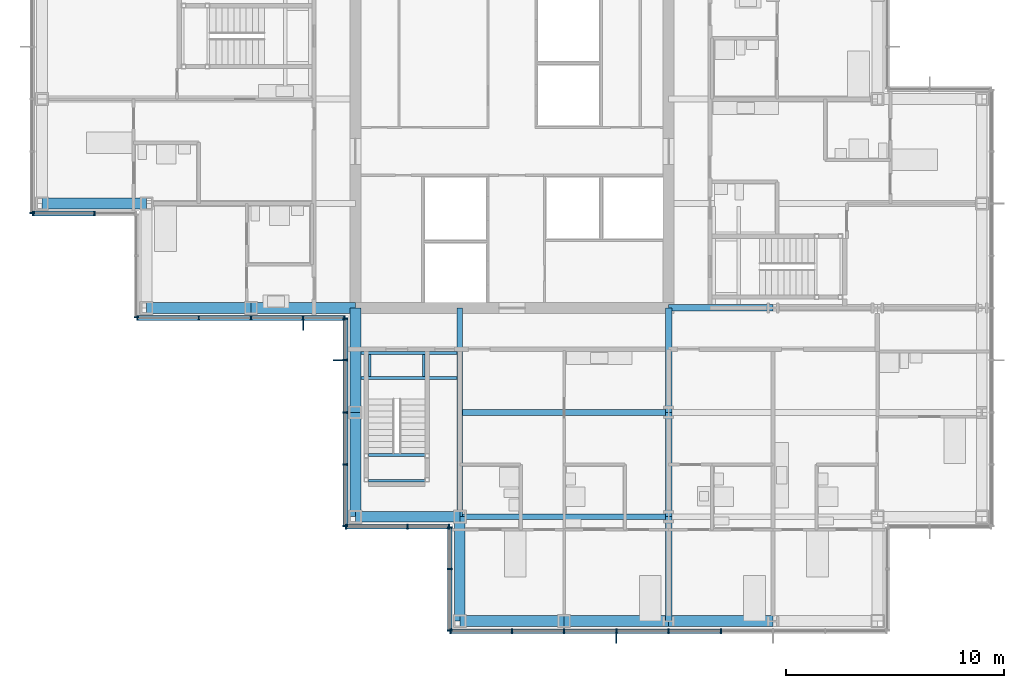
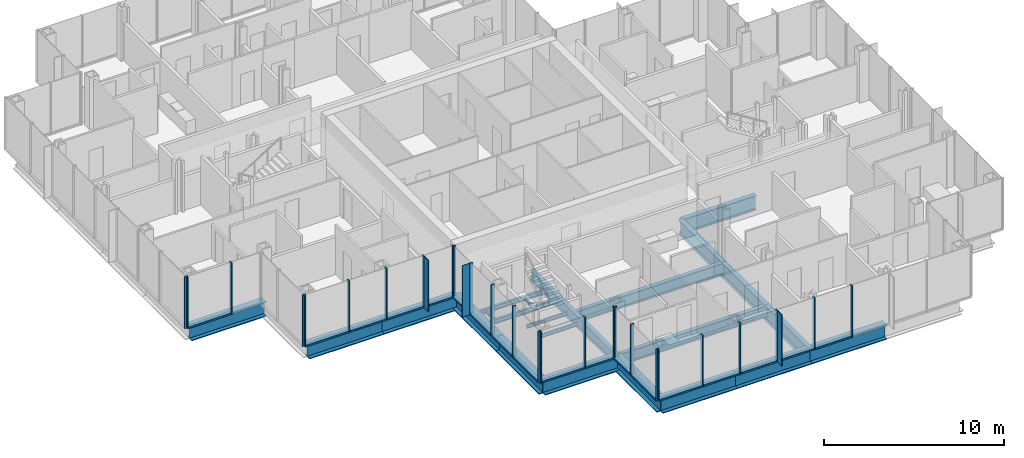
# One storey, part 6 of 20: 47 members, 23 beams, 8 elements without a shape of their own.
"""IFC4 building model written with IfcOpenShell, lengths in metres."""

import ifcopenshell
import ifcopenshell.guid

model = None  # the IFC model being written
_history = None  # IfcOwnerHistory: only IFC2X3 demands one
_inside = {}  # id of a spatial element -> (the spatial element, [elements in it])
_under = {}  # id of a project, library or spatial element -> (it, [spatial elements below it])
_declared = {}  # id of a project -> (the project, [libraries it declares])
_typed = {}  # id of a type object -> (the type object, [elements of that type])
_made_of = {}  # id of a material, layer set ... -> (it, [elements and type objects made of it])


def new_model(schema):
    """Start an empty IFC model of exactly this schema.

    Asked for "IFC4X3", IfcOpenShell would pick the latest addendum, in which some entities
    have other attributes; the version numbers below select the first issue.
    IFC2X3 requires an IfcOwnerHistory on every rooted entity: one is made here for all.
    """
    global model, _history
    if schema == "IFC4X3":
        model = ifcopenshell.file(schema_version=(4, 3, 0, 0))
    else:
        model = ifcopenshell.file(schema=schema)
    _inside.clear()
    _under.clear()
    _declared.clear()
    _typed.clear()
    _made_of.clear()
    _history = None
    if model.schema == "IFC2X3":
        org = make("IfcOrganization", Name="unknown")
        user = make(
            "IfcPersonAndOrganization",
            ThePerson=make("IfcPerson", FamilyName="unknown"),
            TheOrganization=org,
        )
        app = make(
            "IfcApplication",
            ApplicationDeveloper=org,
            Version="unknown",
            ApplicationFullName="unknown",
            ApplicationIdentifier="unknown",
        )
        _history = make(
            "IfcOwnerHistory",
            OwningUser=user,
            OwningApplication=app,
            ChangeAction="ADDED",
            CreationDate=0,
        )
    return model


def make(cls, **values):
    """One entity of the class cls with the attributes given. An attribute that is None is left unset."""
    return model.create_entity(
        cls, **{name: value for name, value in values.items() if value is not None}
    )


def rooted(cls, **values):
    """An entity with a GlobalId (a new one), such as an element, a storey or a relation."""
    return make(cls, GlobalId=ifcopenshell.guid.new(), OwnerHistory=_history, **values)


def si_unit(unit_type, name, prefix=None):
    """IfcSIUnit, for example si_unit("LENGTHUNIT", "METRE", prefix="MILLI")."""
    return make("IfcSIUnit", UnitType=unit_type, Prefix=prefix, Name=name)


def assignment(units):
    """IfcUnitAssignment: the units of a project."""
    return None if units is None else make("IfcUnitAssignment", Units=units)


def point(xyz):
    """IfcCartesianPoint."""
    return None if xyz is None else make("IfcCartesianPoint", Coordinates=xyz)


def direction(xyz):
    """IfcDirection."""
    return None if xyz is None else make("IfcDirection", DirectionRatios=xyz)


def frame(location, z_axis=None, x_axis=None):
    """IfcAxis2Placement3D, a coordinate frame: its origin and axes. An axis left out is left unset."""
    return make(
        "IfcAxis2Placement3D",
        Location=point(location),
        Axis=direction(z_axis),
        RefDirection=direction(x_axis),
    )


def frame_2d(location, x_axis=None):
    """IfcAxis2Placement2D, a coordinate frame in the plane: its origin and x axis."""
    return make(
        "IfcAxis2Placement2D", Location=point(location), RefDirection=direction(x_axis)
    )


def origin():
    """The frame at (0, 0, 0) with its axes left unset."""
    return frame((0.0, 0.0, 0.0))


def origin_2d():
    """The frame at (0, 0) in the plane with its x axis left unset."""
    return frame_2d((0.0, 0.0))


def place(relative_to, where):
    """IfcLocalPlacement: puts the frame where relative to a parent placement (None: the world)."""
    return make(
        "IfcLocalPlacement", PlacementRelTo=relative_to, RelativePlacement=where
    )


def context(
    kind, dimensions, precision=None, world=None, true_north=None, identifier=None
):
    """IfcGeometricRepresentationContext, for example the 3D "Model" context."""
    return make(
        "IfcGeometricRepresentationContext",
        ContextIdentifier=identifier,
        ContextType=kind,
        CoordinateSpaceDimension=dimensions,
        Precision=precision,
        WorldCoordinateSystem=world,
        TrueNorth=true_north,
    )


def subcontext(parent, identifier, kind, view, scale=None):
    """IfcGeometricRepresentationSubContext, for example "Body" below "Model"."""
    return make(
        "IfcGeometricRepresentationSubContext",
        ContextIdentifier=identifier,
        ContextType=kind,
        ParentContext=parent,
        TargetScale=scale,
        TargetView=view,
    )


def project(units=None, contexts=None):
    """IfcProject with its units and contexts."""
    return rooted(
        "IfcProject",
        Name="project",
        RepresentationContexts=contexts,
        UnitsInContext=assignment(units),
    )


def spatial(cls, under=None, at=None, **own):
    """A site, building, storey or space (cls), placed at a placement, below another one or the project."""
    s = rooted(cls, ObjectPlacement=at, **own)
    if under is not None:
        _under.setdefault(under.id(), (under, []))[1].append(s)
    return s


def profile(cls, at=None, kind="AREA", **sizes):
    """A parametric profile (cls). Its sizes go by their IFC names, for example OverallWidth=200.0."""
    return make(cls, ProfileType=kind, Position=at, **sizes)


def rectangle(**sizes):
    """IfcRectangleProfileDef."""
    return profile("IfcRectangleProfileDef", **sizes)


def i_section(**sizes):
    """IfcIShapeProfileDef."""
    return profile("IfcIShapeProfileDef", **sizes)


def extrude(swept, where, along, depth):
    """IfcExtrudedAreaSolid: the profile swept, set in the frame where, extruded along a direction by depth."""
    return make(
        "IfcExtrudedAreaSolid",
        SweptArea=swept,
        Position=where,
        ExtrudedDirection=direction(along),
        Depth=depth,
    )


def shape(context_of_items, identifier, shape_type, items):
    """IfcShapeRepresentation: the items that make up one representation, for example the "Body"."""
    return make(
        "IfcShapeRepresentation",
        ContextOfItems=context_of_items,
        RepresentationIdentifier=identifier,
        RepresentationType=shape_type,
        Items=items,
    )


def material(Name=None, Category=None):
    """IfcMaterial."""
    return make("IfcMaterial", Name=Name, Category=Category)


def material_profile(
    of_material, cross_section, Name=None, Category=None, Priority=None
):
    """IfcMaterialProfile: a cross section and its material."""
    return make(
        "IfcMaterialProfile",
        Name=Name,
        Material=of_material,
        Profile=cross_section,
        Priority=Priority,
        Category=Category,
    )


def profile_set(profiles, Name=None, composite=None):
    """IfcMaterialProfileSet."""
    return make(
        "IfcMaterialProfileSet",
        Name=Name,
        MaterialProfiles=profiles,
        CompositeProfile=composite,
    )


def made_of(thing, what):
    """Note that an element or type object is made of a material, layer set ...; save() writes the relation."""
    if what is not None:
        _made_of.setdefault(what.id(), (what, []))[1].append(thing)
    return thing


def type_object(cls, material=None, **own):
    """A type object (cls), such as IfcWallType, which elements share."""
    return made_of(rooted(cls, **own), material)


def element(
    cls,
    number,
    at=None,
    inside=None,
    cuts=None,
    type_object=None,
    material=None,
    context=None,
    identifier="Body",
    shape_type=None,
    held_by="IfcProductDefinitionShape",
    body=None,
    shapes=None,
    **own,
):
    """One element of the class cls, such as IfcWall. Its Tag is "e" and its number.

    at: its placement. inside: the storey or other place that contains it. cuts: it is an
    opening in that element (IfcRelVoidsElement). A single representation is given by context,
    identifier, shape_type and body (its items); several are given by shapes. held_by: the class
    of the entity that holds the representations. save() writes the other relations.
    """
    e = rooted(cls, Tag="e%d" % number, ObjectPlacement=at, **own)
    if body is not None:
        shapes = [shape(context, identifier, shape_type, body)]
    if shapes is not None:
        e.Representation = make(held_by, Representations=shapes)
    if inside is not None:
        _inside.setdefault(inside.id(), (inside, []))[1].append(e)
    if cuts is not None:
        rooted(
            "IfcRelVoidsElement", RelatingBuildingElement=cuts, RelatedOpeningElement=e
        )
    if type_object is not None:
        _typed.setdefault(type_object.id(), (type_object, []))[1].append(e)
    return made_of(e, material)


def aggregate(whole, parts):
    """IfcRelAggregates: a whole, such as a stair, and the parts it consists of."""
    return rooted("IfcRelAggregates", RelatingObject=whole, RelatedObjects=parts)


def save(model, path):
    """Write the relations noted so far, then the file.

    IfcRelAggregates (storeys below a building ...), IfcRelContainedInSpatialStructure (elements
    in a storey), IfcRelDefinesByType, IfcRelAssociatesMaterial and IfcRelDeclares: one each for
    every whole, place, type object, material and project.
    """
    for whole, parts in _under.values():
        aggregate(whole, parts)
    for where, things in _inside.values():
        rooted(
            "IfcRelContainedInSpatialStructure",
            RelatedElements=things,
            RelatingStructure=where,
        )
    for kind, things in _typed.values():
        rooted("IfcRelDefinesByType", RelatedObjects=things, RelatingType=kind)
    for what, things in _made_of.values():
        rooted("IfcRelAssociatesMaterial", RelatedObjects=things, RelatingMaterial=what)
    for by, libraries in _declared.values():
        rooted("IfcRelDeclares", RelatingContext=by, RelatedDefinitions=libraries)
    model.write(path)


model = new_model("IFC4")

# Units and contexts
model_context = context("Model", 3, precision=1e-05, world=origin(), true_north=direction((0.0, 1.0)))
body_context = subcontext(model_context, "Body", "Model", "MODEL_VIEW")
ifc_project = project(units=[si_unit("LENGTHUNIT", "METRE"), si_unit("AREAUNIT", "SQUARE_METRE"), si_unit("VOLUMEUNIT", "CUBIC_METRE"), si_unit("PLANEANGLEUNIT", "RADIAN"), si_unit("MASSUNIT", "GRAM", prefix="KILO")], contexts=[model_context])

# Site, building, storey
site_placement = place(None, origin())
site = spatial("IfcSite", under=ifc_project, at=site_placement, CompositionType="ELEMENT")
building_placement = place(site_placement, origin())
building = spatial("IfcBuilding", under=site, at=building_placement, Name="Kvirike Care Tower", CompositionType="ELEMENT")
storey_placement = place(building_placement, frame((0.0, 0.0, 115.5)))
storey = spatial("IfcBuildingStorey", under=building, at=storey_placement, Name="L31", CompositionType="ELEMENT", Elevation=115.5)

# Curtain wall, member
ifc_material_1 = material(Name="Anodised aluminium stick system", Category="aluminium")
curtain_wall_type = type_object("IfcCurtainWallType", Name="CW-B STICK CURTAIN WALL", PredefinedType="NOTDEFINED", material=ifc_material_1)
curtain_wall_1_placement = place(storey_placement, origin())
curtain_wall_1 = element("IfcCurtainWall", 1, at=curtain_wall_1_placement, inside=storey, type_object=curtain_wall_type, Name="Curtain wall L31 face 14", PredefinedType="NOTDEFINED")
ifc_material_2 = material(Name="Bronze anodised aluminium fin", Category="aluminium")
ifc_material_profile_1 = material_profile(ifc_material_2, rectangle(XDim=0.050048828125, YDim=0.449951171875, at=origin_2d()), Name="BRONZE FIN 450")
ifc_profile_set_1 = profile_set([ifc_material_profile_1], Name="Bronze anodised aluminium fin")
member_type_1 = type_object("IfcMemberType", Name="BRONZE FIN 450", PredefinedType="USERDEFINED", material=ifc_profile_set_1)
member_1_placement = place(storey_placement, frame((12.0, 28.0048828125, 0.0), z_axis=(0.0, 0.0, 1.0), x_axis=(1.0, 0.0, 0.0)))
member_1 = element("IfcMember", 2, at=member_1_placement, type_object=member_type_1, Name="Bronze fin L31 face 14.4", ObjectType="FIN", PredefinedType="USERDEFINED", context=body_context, shape_type="SweptSolid", body=[
    extrude(rectangle(XDim=0.050048828125, YDim=0.449951171875, at=origin_2d()), origin(), (0.0, 0.0, 1.0), 3.5),
])

curtain_wall_2_placement = place(storey_placement, origin())
curtain_wall_2 = element("IfcCurtainWall", 3, at=curtain_wall_2_placement, inside=storey, type_object=curtain_wall_type, Name="Curtain wall L31 face 15", PredefinedType="NOTDEFINED")
member_2_placement = place(storey_placement, frame((13.60498046875, 26.39990234375, 0.0), z_axis=(0.0, 0.0, 1.0), x_axis=(0.0, -1.0, 0.0)))
member_2 = element("IfcMember", 4, at=member_2_placement, type_object=member_type_1, Name="Bronze fin L31 face 15.2", ObjectType="FIN", PredefinedType="USERDEFINED", context=body_context, shape_type="SweptSolid", body=[
    extrude(rectangle(XDim=0.050048828125, YDim=0.449951171875, at=origin_2d()), origin(), (0.0, 0.0, 1.0), 3.5),
])

curtain_wall_3_placement = place(storey_placement, origin())
curtain_wall_3 = element("IfcCurtainWall", 5, at=curtain_wall_3_placement, inside=storey, type_object=curtain_wall_type, Name="Curtain wall L31 face 18", PredefinedType="NOTDEFINED")
member_3_placement = place(storey_placement, frame((26.39990234375, 13.60498046875, 0.0), z_axis=(0.0, 0.0, 1.0), x_axis=(1.0, 0.0, 0.0)))
member_3 = element("IfcMember", 6, at=member_3_placement, type_object=member_type_1, Name="Bronze fin L31 face 18.4", ObjectType="FIN", PredefinedType="USERDEFINED", context=body_context, shape_type="SweptSolid", body=[
    extrude(rectangle(XDim=0.050048828125, YDim=0.449951171875, at=origin_2d()), origin(), (0.0, 0.0, 1.0), 3.5),
])

curtain_wall_4_placement = place(storey_placement, origin())
curtain_wall_4 = element("IfcCurtainWall", 7, at=curtain_wall_4_placement, inside=storey, type_object=curtain_wall_type, Name="Curtain wall L31 face 11", PredefinedType="NOTDEFINED")
ifc_material_3 = material(Name="Bronze anodised aluminium mullion", Category="aluminium")
ifc_material_profile_2 = material_profile(ifc_material_3, rectangle(XDim=0.06494140625, YDim=0.219970703125, at=origin_2d()), Name="CW-B MULLION 65x220")
ifc_profile_set_2 = profile_set([ifc_material_profile_2], Name="Bronze anodised aluminium mullion")
member_type_2 = type_object("IfcMemberType", Name="CW-B MULLION 65x220", PredefinedType="MULLION", material=ifc_profile_set_2)
member_4_placement = place(storey_placement, frame((-0.4599609375, 33.172607421875, 0.0), z_axis=(0.0, 0.0, 1.0), x_axis=(0.0, -1.0, 0.0)))
member_4 = element("IfcMember", 8, at=member_4_placement, type_object=member_type_2, Name="CW-B mullion L31 face 11.9", PredefinedType="MULLION", context=body_context, shape_type="SweptSolid", body=[
    extrude(rectangle(XDim=0.06494140625, YDim=0.219970703125, at=origin_2d()), origin(), (0.0, 0.0, 1.0), 3.5),
])
aggregate(curtain_wall_4, [member_4])

# Curtain wall, members
curtain_wall_5_placement = place(storey_placement, origin())
curtain_wall_5 = element("IfcCurtainWall", 9, at=curtain_wall_5_placement, inside=storey, type_object=curtain_wall_type, Name="Curtain wall L31 face 12", PredefinedType="NOTDEFINED")
member_5_placement = place(storey_placement, frame((-0.427490234375, 33.139892578125, 0.0), z_axis=(0.0, 0.0, 1.0), x_axis=(1.0, 0.0, 0.0)))
member_5 = element("IfcMember", 10, at=member_5_placement, type_object=member_type_2, Name="CW-B mullion L31 face 12.1", PredefinedType="MULLION", context=body_context, shape_type="SweptSolid", body=[
    extrude(rectangle(XDim=0.06494140625, YDim=0.219970703125, at=origin_2d()), origin(), (0.0, 0.0, 1.0), 3.5),
])
member_6_placement = place(storey_placement, frame((2.39990234375, 33.139892578125, 0.0), z_axis=(0.0, 0.0, 1.0), x_axis=(1.0, 0.0, 0.0)))
member_6 = element("IfcMember", 11, at=member_6_placement, type_object=member_type_2, Name="CW-B mullion L31 face 12.2", PredefinedType="MULLION", context=body_context, shape_type="SweptSolid", body=[
    extrude(rectangle(XDim=0.06494140625, YDim=0.219970703125, at=origin_2d()), origin(), (0.0, 0.0, 1.0), 3.5),
])

# Curtain wall, member
curtain_wall_6_placement = place(storey_placement, origin())
curtain_wall_6 = element("IfcCurtainWall", 12, at=curtain_wall_6_placement, inside=storey, type_object=curtain_wall_type, Name="Curtain wall L31 face 13", PredefinedType="NOTDEFINED")
member_7_placement = place(storey_placement, frame((4.340087890625, 28.37255859375, 0.0), z_axis=(0.0, 0.0, 1.0), x_axis=(0.0, -1.0, 0.0)))
member_7 = element("IfcMember", 13, at=member_7_placement, type_object=member_type_2, Name="CW-B mullion L31 face 13.3", PredefinedType="MULLION", context=body_context, shape_type="SweptSolid", body=[
    extrude(rectangle(XDim=0.06494140625, YDim=0.219970703125, at=origin_2d()), origin(), (0.0, 0.0, 1.0), 3.5),
])
aggregate(curtain_wall_6, [member_7])

# Member
member_8_placement = place(storey_placement, frame((4.37255859375, 28.340087890625, 0.0), z_axis=(0.0, 0.0, 1.0), x_axis=(1.0, 0.0, 0.0)))
member_8 = element("IfcMember", 14, at=member_8_placement, type_object=member_type_2, Name="CW-B mullion L31 face 14.1", PredefinedType="MULLION", context=body_context, shape_type="SweptSolid", body=[
    extrude(rectangle(XDim=0.06494140625, YDim=0.219970703125, at=origin_2d()), origin(), (0.0, 0.0, 1.0), 3.5),
])

member_9_placement = place(storey_placement, frame((7.199951171875, 28.340087890625, 0.0), z_axis=(0.0, 0.0, 1.0), x_axis=(1.0, 0.0, 0.0)))
member_9 = element("IfcMember", 15, at=member_9_placement, type_object=member_type_2, Name="CW-B mullion L31 face 14.2", PredefinedType="MULLION", context=body_context, shape_type="SweptSolid", body=[
    extrude(rectangle(XDim=0.06494140625, YDim=0.219970703125, at=origin_2d()), origin(), (0.0, 0.0, 1.0), 3.5),
])

member_10_placement = place(storey_placement, frame((9.60009765625, 28.340087890625, 0.0), z_axis=(0.0, 0.0, 1.0), x_axis=(1.0, 0.0, 0.0)))
member_10 = element("IfcMember", 16, at=member_10_placement, type_object=member_type_2, Name="CW-B mullion L31 face 14.3", PredefinedType="MULLION", context=body_context, shape_type="SweptSolid", body=[
    extrude(rectangle(XDim=0.06494140625, YDim=0.219970703125, at=origin_2d()), origin(), (0.0, 0.0, 1.0), 3.5),
])

member_11_placement = place(storey_placement, frame((12.0, 28.340087890625, 0.0), z_axis=(0.0, 0.0, 1.0), x_axis=(1.0, 0.0, 0.0)))
member_11 = element("IfcMember", 17, at=member_11_placement, type_object=member_type_2, Name="CW-B mullion L31 face 14.4", PredefinedType="MULLION", context=body_context, shape_type="SweptSolid", body=[
    extrude(rectangle(XDim=0.06494140625, YDim=0.219970703125, at=origin_2d()), origin(), (0.0, 0.0, 1.0), 3.5),
])

member_12_placement = place(storey_placement, frame((13.907470703125, 28.340087890625, 0.0), z_axis=(0.0, 0.0, 1.0), x_axis=(1.0, 0.0, 0.0)))
member_12 = element("IfcMember", 18, at=member_12_placement, type_object=member_type_2, Name="CW-B mullion L31 face 14.5", PredefinedType="MULLION", context=body_context, shape_type="SweptSolid", body=[
    extrude(rectangle(XDim=0.06494140625, YDim=0.219970703125, at=origin_2d()), origin(), (0.0, 0.0, 1.0), 3.5),
])

member_13_placement = place(storey_placement, frame((13.93994140625, 28.3076171875, 0.0), z_axis=(0.0, 0.0, 1.0), x_axis=(0.0, -1.0, 0.0)))
member_13 = element("IfcMember", 19, at=member_13_placement, type_object=member_type_2, Name="CW-B mullion L31 face 15.1", PredefinedType="MULLION", context=body_context, shape_type="SweptSolid", body=[
    extrude(rectangle(XDim=0.06494140625, YDim=0.219970703125, at=origin_2d()), origin(), (0.0, 0.0, 1.0), 3.5),
])

member_14_placement = place(storey_placement, frame((13.93994140625, 26.39990234375, 0.0), z_axis=(0.0, 0.0, 1.0), x_axis=(0.0, -1.0, 0.0)))
member_14 = element("IfcMember", 20, at=member_14_placement, type_object=member_type_2, Name="CW-B mullion L31 face 15.2", PredefinedType="MULLION", context=body_context, shape_type="SweptSolid", body=[
    extrude(rectangle(XDim=0.06494140625, YDim=0.219970703125, at=origin_2d()), origin(), (0.0, 0.0, 1.0), 3.5),
])

member_15_placement = place(storey_placement, frame((13.93994140625, 24.0, 0.0), z_axis=(0.0, 0.0, 1.0), x_axis=(0.0, -1.0, 0.0)))
member_15 = element("IfcMember", 21, at=member_15_placement, type_object=member_type_2, Name="CW-B mullion L31 face 15.3", PredefinedType="MULLION", context=body_context, shape_type="SweptSolid", body=[
    extrude(rectangle(XDim=0.06494140625, YDim=0.219970703125, at=origin_2d()), origin(), (0.0, 0.0, 1.0), 3.5),
])

member_16_placement = place(storey_placement, frame((13.93994140625, 21.60009765625, 0.0), z_axis=(0.0, 0.0, 1.0), x_axis=(0.0, -1.0, 0.0)))
member_16 = element("IfcMember", 22, at=member_16_placement, type_object=member_type_2, Name="CW-B mullion L31 face 15.4", PredefinedType="MULLION", context=body_context, shape_type="SweptSolid", body=[
    extrude(rectangle(XDim=0.06494140625, YDim=0.219970703125, at=origin_2d()), origin(), (0.0, 0.0, 1.0), 3.5),
])

member_17_placement = place(storey_placement, frame((13.93994140625, 18.7724609375, 0.0), z_axis=(0.0, 0.0, 1.0), x_axis=(0.0, -1.0, 0.0)))
member_17 = element("IfcMember", 23, at=member_17_placement, type_object=member_type_2, Name="CW-B mullion L31 face 15.5", PredefinedType="MULLION", context=body_context, shape_type="SweptSolid", body=[
    extrude(rectangle(XDim=0.06494140625, YDim=0.219970703125, at=origin_2d()), origin(), (0.0, 0.0, 1.0), 3.5),
])

# Curtain wall, members
curtain_wall_7_placement = place(storey_placement, origin())
curtain_wall_7 = element("IfcCurtainWall", 24, at=curtain_wall_7_placement, inside=storey, type_object=curtain_wall_type, Name="Curtain wall L31 face 16", PredefinedType="NOTDEFINED")
member_18_placement = place(storey_placement, frame((13.972412109375, 18.739990234375, 0.0), z_axis=(0.0, 0.0, 1.0), x_axis=(1.0, 0.0, 0.0)))
member_18 = element("IfcMember", 25, at=member_18_placement, type_object=member_type_2, Name="CW-B mullion L31 face 16.1", PredefinedType="MULLION", context=body_context, shape_type="SweptSolid", body=[
    extrude(rectangle(XDim=0.06494140625, YDim=0.219970703125, at=origin_2d()), origin(), (0.0, 0.0, 1.0), 3.5),
])
member_19_placement = place(storey_placement, frame((16.800048828125, 18.739990234375, 0.0), z_axis=(0.0, 0.0, 1.0), x_axis=(1.0, 0.0, 0.0)))
member_19 = element("IfcMember", 26, at=member_19_placement, type_object=member_type_2, Name="CW-B mullion L31 face 16.2", PredefinedType="MULLION", context=body_context, shape_type="SweptSolid", body=[
    extrude(rectangle(XDim=0.06494140625, YDim=0.219970703125, at=origin_2d()), origin(), (0.0, 0.0, 1.0), 3.5),
])
member_20_placement = place(storey_placement, frame((18.70751953125, 18.739990234375, 0.0), z_axis=(0.0, 0.0, 1.0), x_axis=(1.0, 0.0, 0.0)))
member_20 = element("IfcMember", 27, at=member_20_placement, type_object=member_type_2, Name="CW-B mullion L31 face 16.3", PredefinedType="MULLION", context=body_context, shape_type="SweptSolid", body=[
    extrude(rectangle(XDim=0.06494140625, YDim=0.219970703125, at=origin_2d()), origin(), (0.0, 0.0, 1.0), 3.5),
])

curtain_wall_8_placement = place(storey_placement, origin())
curtain_wall_8 = element("IfcCurtainWall", 28, at=curtain_wall_8_placement, inside=storey, type_object=curtain_wall_type, Name="Curtain wall L31 face 17", PredefinedType="NOTDEFINED")
member_21_placement = place(storey_placement, frame((18.739990234375, 18.70751953125, 0.0), z_axis=(0.0, 0.0, 1.0), x_axis=(0.0, -1.0, 0.0)))
member_21 = element("IfcMember", 29, at=member_21_placement, type_object=member_type_2, Name="CW-B mullion L31 face 17.1", PredefinedType="MULLION", context=body_context, shape_type="SweptSolid", body=[
    extrude(rectangle(XDim=0.06494140625, YDim=0.219970703125, at=origin_2d()), origin(), (0.0, 0.0, 1.0), 3.5),
])
member_22_placement = place(storey_placement, frame((18.739990234375, 16.800048828125, 0.0), z_axis=(0.0, 0.0, 1.0), x_axis=(0.0, -1.0, 0.0)))
member_22 = element("IfcMember", 30, at=member_22_placement, type_object=member_type_2, Name="CW-B mullion L31 face 17.2", PredefinedType="MULLION", context=body_context, shape_type="SweptSolid", body=[
    extrude(rectangle(XDim=0.06494140625, YDim=0.219970703125, at=origin_2d()), origin(), (0.0, 0.0, 1.0), 3.5),
])
member_23_placement = place(storey_placement, frame((18.739990234375, 13.972412109375, 0.0), z_axis=(0.0, 0.0, 1.0), x_axis=(0.0, -1.0, 0.0)))
member_23 = element("IfcMember", 31, at=member_23_placement, type_object=member_type_2, Name="CW-B mullion L31 face 17.3", PredefinedType="MULLION", context=body_context, shape_type="SweptSolid", body=[
    extrude(rectangle(XDim=0.06494140625, YDim=0.219970703125, at=origin_2d()), origin(), (0.0, 0.0, 1.0), 3.5),
])

# Member
member_24_placement = place(storey_placement, frame((18.7724609375, 13.93994140625, 0.0), z_axis=(0.0, 0.0, 1.0), x_axis=(1.0, 0.0, 0.0)))
member_24 = element("IfcMember", 32, at=member_24_placement, type_object=member_type_2, Name="CW-B mullion L31 face 18.1", PredefinedType="MULLION", context=body_context, shape_type="SweptSolid", body=[
    extrude(rectangle(XDim=0.06494140625, YDim=0.219970703125, at=origin_2d()), origin(), (0.0, 0.0, 1.0), 3.5),
])

member_25_placement = place(storey_placement, frame((21.60009765625, 13.93994140625, 0.0), z_axis=(0.0, 0.0, 1.0), x_axis=(1.0, 0.0, 0.0)))
member_25 = element("IfcMember", 33, at=member_25_placement, type_object=member_type_2, Name="CW-B mullion L31 face 18.2", PredefinedType="MULLION", context=body_context, shape_type="SweptSolid", body=[
    extrude(rectangle(XDim=0.06494140625, YDim=0.219970703125, at=origin_2d()), origin(), (0.0, 0.0, 1.0), 3.5),
])

member_26_placement = place(storey_placement, frame((24.0, 13.93994140625, 0.0), z_axis=(0.0, 0.0, 1.0), x_axis=(1.0, 0.0, 0.0)))
member_26 = element("IfcMember", 34, at=member_26_placement, type_object=member_type_2, Name="CW-B mullion L31 face 18.3", PredefinedType="MULLION", context=body_context, shape_type="SweptSolid", body=[
    extrude(rectangle(XDim=0.06494140625, YDim=0.219970703125, at=origin_2d()), origin(), (0.0, 0.0, 1.0), 3.5),
])

member_27_placement = place(storey_placement, frame((26.39990234375, 13.93994140625, 0.0), z_axis=(0.0, 0.0, 1.0), x_axis=(1.0, 0.0, 0.0)))
member_27 = element("IfcMember", 35, at=member_27_placement, type_object=member_type_2, Name="CW-B mullion L31 face 18.4", PredefinedType="MULLION", context=body_context, shape_type="SweptSolid", body=[
    extrude(rectangle(XDim=0.06494140625, YDim=0.219970703125, at=origin_2d()), origin(), (0.0, 0.0, 1.0), 3.5),
])

member_28_placement = place(storey_placement, frame((28.800048828125, 13.93994140625, 0.0), z_axis=(0.0, 0.0, 1.0), x_axis=(1.0, 0.0, 0.0)))
member_28 = element("IfcMember", 36, at=member_28_placement, type_object=member_type_2, Name="CW-B mullion L31 face 18.5", PredefinedType="MULLION", context=body_context, shape_type="SweptSolid", body=[
    extrude(rectangle(XDim=0.06494140625, YDim=0.219970703125, at=origin_2d()), origin(), (0.0, 0.0, 1.0), 3.5),
])

member_29_placement = place(storey_placement, frame((31.199951171875, 13.93994140625, 0.0), z_axis=(0.0, 0.0, 1.0), x_axis=(1.0, 0.0, 0.0)))
member_29 = element("IfcMember", 37, at=member_29_placement, type_object=member_type_2, Name="CW-B mullion L31 face 18.6", PredefinedType="MULLION", context=body_context, shape_type="SweptSolid", body=[
    extrude(rectangle(XDim=0.06494140625, YDim=0.219970703125, at=origin_2d()), origin(), (0.0, 0.0, 1.0), 3.5),
])

ifc_material_4 = material(Name="Bronze anodised aluminium transom", Category="aluminium")
ifc_material_profile_3 = material_profile(ifc_material_4, rectangle(XDim=0.219970703125, YDim=0.10009765625, at=origin_2d()), Name="CW-B TRANSOM 220x100")
ifc_profile_set_3 = profile_set([ifc_material_profile_3], Name="Bronze anodised aluminium transom")
member_type_3 = type_object("IfcMemberType", Name="CW-B TRANSOM 220x100", PredefinedType="USERDEFINED", material=ifc_profile_set_3)
member_30_placement = place(storey_placement, frame((-0.39501953125, 33.139892578125, 0.050048828125), z_axis=(1.0, 0.0, 0.0), x_axis=(0.0, 1.0, 0.0)))
member_30 = element("IfcMember", 38, at=member_30_placement, type_object=member_type_3, Name="CW-B sill transom L31 face 12.1", ObjectType="TRANSOM", PredefinedType="USERDEFINED", context=body_context, shape_type="SweptSolid", body=[
    extrude(rectangle(XDim=0.219970703125, YDim=0.10009765625, at=origin_2d()), origin(), (0.0, 0.0, 1.0), 2.762451171875),
])

aggregate(curtain_wall_5, [member_5, member_6, member_30])

member_31_placement = place(storey_placement, frame((4.405029296875, 28.340087890625, 0.050048828125), z_axis=(1.0, 0.0, 0.0), x_axis=(0.0, 1.0, 0.0)))
member_31 = element("IfcMember", 39, at=member_31_placement, type_object=member_type_3, Name="CW-B sill transom L31 face 14.1", ObjectType="TRANSOM", PredefinedType="USERDEFINED", context=body_context, shape_type="SweptSolid", body=[
    extrude(rectangle(XDim=0.219970703125, YDim=0.10009765625, at=origin_2d()), origin(), (0.0, 0.0, 1.0), 2.762451171875),
])

member_32_placement = place(storey_placement, frame((7.232421875, 28.340087890625, 0.050048828125), z_axis=(1.0, 0.0, 0.0), x_axis=(0.0, 1.0, 0.0)))
member_32 = element("IfcMember", 40, at=member_32_placement, type_object=member_type_3, Name="CW-B sill transom L31 face 14.2", ObjectType="TRANSOM", PredefinedType="USERDEFINED", context=body_context, shape_type="SweptSolid", body=[
    extrude(rectangle(XDim=0.219970703125, YDim=0.10009765625, at=origin_2d()), origin(), (0.0, 0.0, 1.0), 2.3349609375),
])

member_33_placement = place(storey_placement, frame((9.632568359375, 28.340087890625, 0.050048828125), z_axis=(1.0, 0.0, 0.0), x_axis=(0.0, 1.0, 0.0)))
member_33 = element("IfcMember", 41, at=member_33_placement, type_object=member_type_3, Name="CW-B sill transom L31 face 14.3", ObjectType="TRANSOM", PredefinedType="USERDEFINED", context=body_context, shape_type="SweptSolid", body=[
    extrude(rectangle(XDim=0.219970703125, YDim=0.10009765625, at=origin_2d()), origin(), (0.0, 0.0, 1.0), 2.3349609375),
])

member_34_placement = place(storey_placement, frame((12.032470703125, 28.340087890625, 0.050048828125), z_axis=(1.0, 0.0, 0.0), x_axis=(0.0, 1.0, 0.0)))
member_34 = element("IfcMember", 42, at=member_34_placement, type_object=member_type_3, Name="CW-B sill transom L31 face 14.4", ObjectType="TRANSOM", PredefinedType="USERDEFINED", context=body_context, shape_type="SweptSolid", body=[
    extrude(rectangle(XDim=0.219970703125, YDim=0.10009765625, at=origin_2d()), origin(), (0.0, 0.0, 1.0), 1.842529296875),
])

aggregate(curtain_wall_1, [member_8, member_9, member_10, member_11, member_1, member_12, member_31, member_32, member_33, member_34])

member_35_placement = place(storey_placement, frame((13.93994140625, 28.27490234375, 0.050048828125), z_axis=(0.0, -1.0, 0.0), x_axis=(1.0, 0.0, 0.0)))
member_35 = element("IfcMember", 43, at=member_35_placement, type_object=member_type_3, Name="CW-B sill transom L31 face 15.1", ObjectType="TRANSOM", PredefinedType="USERDEFINED", context=body_context, shape_type="SweptSolid", body=[
    extrude(rectangle(XDim=0.219970703125, YDim=0.10009765625, at=origin_2d()), origin(), (0.0, 0.0, 1.0), 1.84228515625),
])

member_36_placement = place(storey_placement, frame((13.93994140625, 26.367431640625, 0.050048828125), z_axis=(0.0, -1.0, 0.0), x_axis=(1.0, 0.0, 0.0)))
member_36 = element("IfcMember", 44, at=member_36_placement, type_object=member_type_3, Name="CW-B sill transom L31 face 15.2", ObjectType="TRANSOM", PredefinedType="USERDEFINED", context=body_context, shape_type="SweptSolid", body=[
    extrude(rectangle(XDim=0.219970703125, YDim=0.10009765625, at=origin_2d()), origin(), (0.0, 0.0, 1.0), 2.3349609375),
])

member_37_placement = place(storey_placement, frame((13.93994140625, 23.967529296875, 0.050048828125), z_axis=(0.0, -1.0, 0.0), x_axis=(1.0, 0.0, 0.0)))
member_37 = element("IfcMember", 45, at=member_37_placement, type_object=member_type_3, Name="CW-B sill transom L31 face 15.3", ObjectType="TRANSOM", PredefinedType="USERDEFINED", context=body_context, shape_type="SweptSolid", body=[
    extrude(rectangle(XDim=0.219970703125, YDim=0.10009765625, at=origin_2d()), origin(), (0.0, 0.0, 1.0), 2.3349609375),
])

member_38_placement = place(storey_placement, frame((13.93994140625, 21.5673828125, 0.050048828125), z_axis=(0.0, -1.0, 0.0), x_axis=(1.0, 0.0, 0.0)))
member_38 = element("IfcMember", 46, at=member_38_placement, type_object=member_type_3, Name="CW-B sill transom L31 face 15.4", ObjectType="TRANSOM", PredefinedType="USERDEFINED", context=body_context, shape_type="SweptSolid", body=[
    extrude(rectangle(XDim=0.219970703125, YDim=0.10009765625, at=origin_2d()), origin(), (0.0, 0.0, 1.0), 2.762451171875),
])

aggregate(curtain_wall_2, [member_13, member_14, member_2, member_15, member_16, member_17, member_35, member_36, member_37, member_38])

member_39_placement = place(storey_placement, frame((14.0048828125, 18.739990234375, 0.050048828125), z_axis=(1.0, 0.0, 0.0), x_axis=(0.0, 1.0, 0.0)))
member_39 = element("IfcMember", 47, at=member_39_placement, type_object=member_type_3, Name="CW-B sill transom L31 face 16.1", ObjectType="TRANSOM", PredefinedType="USERDEFINED", context=body_context, shape_type="SweptSolid", body=[
    extrude(rectangle(XDim=0.219970703125, YDim=0.10009765625, at=origin_2d()), origin(), (0.0, 0.0, 1.0), 2.7626953125),
])

member_40_placement = place(storey_placement, frame((16.83251953125, 18.739990234375, 0.050048828125), z_axis=(1.0, 0.0, 0.0), x_axis=(0.0, 1.0, 0.0)))
member_40 = element("IfcMember", 48, at=member_40_placement, type_object=member_type_3, Name="CW-B sill transom L31 face 16.2", ObjectType="TRANSOM", PredefinedType="USERDEFINED", context=body_context, shape_type="SweptSolid", body=[
    extrude(rectangle(XDim=0.219970703125, YDim=0.10009765625, at=origin_2d()), origin(), (0.0, 0.0, 1.0), 1.842529296875),
])

aggregate(curtain_wall_7, [member_18, member_19, member_20, member_39, member_40])

member_41_placement = place(storey_placement, frame((18.739990234375, 18.675048828125, 0.050048828125), z_axis=(0.0, -1.0, 0.0), x_axis=(1.0, 0.0, 0.0)))
member_41 = element("IfcMember", 49, at=member_41_placement, type_object=member_type_3, Name="CW-B sill transom L31 face 17.1", ObjectType="TRANSOM", PredefinedType="USERDEFINED", context=body_context, shape_type="SweptSolid", body=[
    extrude(rectangle(XDim=0.219970703125, YDim=0.10009765625, at=origin_2d()), origin(), (0.0, 0.0, 1.0), 1.842529296875),
])

member_42_placement = place(storey_placement, frame((18.739990234375, 16.767578125, 0.050048828125), z_axis=(0.0, -1.0, 0.0), x_axis=(1.0, 0.0, 0.0)))
member_42 = element("IfcMember", 50, at=member_42_placement, type_object=member_type_3, Name="CW-B sill transom L31 face 17.2", ObjectType="TRANSOM", PredefinedType="USERDEFINED", context=body_context, shape_type="SweptSolid", body=[
    extrude(rectangle(XDim=0.219970703125, YDim=0.10009765625, at=origin_2d()), origin(), (0.0, 0.0, 1.0), 2.7626953125),
])

aggregate(curtain_wall_8, [member_21, member_22, member_23, member_41, member_42])

member_43_placement = place(storey_placement, frame((18.804931640625, 13.93994140625, 0.050048828125), z_axis=(1.0, 0.0, 0.0), x_axis=(0.0, 1.0, 0.0)))
member_43 = element("IfcMember", 51, at=member_43_placement, type_object=member_type_3, Name="CW-B sill transom L31 face 18.1", ObjectType="TRANSOM", PredefinedType="USERDEFINED", context=body_context, shape_type="SweptSolid", body=[
    extrude(rectangle(XDim=0.219970703125, YDim=0.10009765625, at=origin_2d()), origin(), (0.0, 0.0, 1.0), 2.762451171875),
])

member_44_placement = place(storey_placement, frame((21.632568359375, 13.93994140625, 0.050048828125), z_axis=(1.0, 0.0, 0.0), x_axis=(0.0, 1.0, 0.0)))
member_44 = element("IfcMember", 52, at=member_44_placement, type_object=member_type_3, Name="CW-B sill transom L31 face 18.2", ObjectType="TRANSOM", PredefinedType="USERDEFINED", context=body_context, shape_type="SweptSolid", body=[
    extrude(rectangle(XDim=0.219970703125, YDim=0.10009765625, at=origin_2d()), origin(), (0.0, 0.0, 1.0), 2.3349609375),
])

member_45_placement = place(storey_placement, frame((24.032470703125, 13.93994140625, 0.050048828125), z_axis=(1.0, 0.0, 0.0), x_axis=(0.0, 1.0, 0.0)))
member_45 = element("IfcMember", 53, at=member_45_placement, type_object=member_type_3, Name="CW-B sill transom L31 face 18.3", ObjectType="TRANSOM", PredefinedType="USERDEFINED", context=body_context, shape_type="SweptSolid", body=[
    extrude(rectangle(XDim=0.219970703125, YDim=0.10009765625, at=origin_2d()), origin(), (0.0, 0.0, 1.0), 2.3349609375),
])

member_46_placement = place(storey_placement, frame((26.4326171875, 13.93994140625, 0.050048828125), z_axis=(1.0, 0.0, 0.0), x_axis=(0.0, 1.0, 0.0)))
member_46 = element("IfcMember", 54, at=member_46_placement, type_object=member_type_3, Name="CW-B sill transom L31 face 18.4", ObjectType="TRANSOM", PredefinedType="USERDEFINED", context=body_context, shape_type="SweptSolid", body=[
    extrude(rectangle(XDim=0.219970703125, YDim=0.10009765625, at=origin_2d()), origin(), (0.0, 0.0, 1.0), 2.3349609375),
])

member_47_placement = place(storey_placement, frame((28.83251953125, 13.93994140625, 0.050048828125), z_axis=(1.0, 0.0, 0.0), x_axis=(0.0, 1.0, 0.0)))
member_47 = element("IfcMember", 55, at=member_47_placement, type_object=member_type_3, Name="CW-B sill transom L31 face 18.5", ObjectType="TRANSOM", PredefinedType="USERDEFINED", context=body_context, shape_type="SweptSolid", body=[
    extrude(rectangle(XDim=0.219970703125, YDim=0.10009765625, at=origin_2d()), origin(), (0.0, 0.0, 1.0), 2.3349609375),
])

aggregate(curtain_wall_3, [member_24, member_25, member_26, member_27, member_3, member_28, member_29, member_43, member_44, member_45, member_46, member_47])

# Beams
ifc_material_5 = material(Name="Steel S355", Category="steel")
ifc_material_profile_4 = material_profile(ifc_material_5, i_section(OverallWidth=0.26806640625, OverallDepth=0.77001953125, WebThickness=0.015625, FlangeThickness=0.025390625, FilletRadius=0.01708984375, at=origin_2d()), Name="IPE 750x196")
ifc_profile_set_4 = profile_set([ifc_material_profile_4], Name="Steel S355")
beam_type_1 = type_object("IfcBeamType", Name="FLOOR BEAM IPE 750x196", PredefinedType="BEAM", material=ifc_profile_set_4)
for number, where, z_axis, x_axis, name in (
    (56, (19.199951171875, 19.199951171875, -0.554931640625), (1.0, 0.0, 0.0), (0.0, 1.0, 0.0), "Floor Beam E7-E9 L31"),
    (57, (19.199951171875, 24.0, -0.554931640625), (1.0, 0.0, 0.0), (0.0, 1.0, 0.0), "Floor Beam F7-F9 L31"),
    (58, (19.199951171875, 19.199951171875, -0.554931640625), (0.0, 1.0, 0.0), (-1.0, 0.0, 0.0), "Floor Beam E7-G7 L31"),
):
    element("IfcBeam", number, at=place(storey_placement, frame(where, z_axis=z_axis, x_axis=x_axis)), inside=storey, type_object=beam_type_1, Name=name, PredefinedType="BEAM", context=body_context, shape_type="SweptSolid", body=[
        extrude(i_section(OverallWidth=0.26806640625, OverallDepth=0.77001953125, WebThickness=0.015625, FlangeThickness=0.025390625, FilletRadius=0.01708984375, at=origin_2d()), origin(), (0.0, 0.0, 1.0), 9.60009765625),
    ])
ifc_material_6 = material(Name="Steel S355", Category="steel")
ifc_material_profile_5 = material_profile(ifc_material_6, i_section(OverallWidth=0.300048828125, OverallDepth=1.0, WebThickness=0.01904296875, FlangeThickness=0.035888671875, FilletRadius=0.030029296875, at=origin_2d()), Name="HE 1000 B")
ifc_profile_set_5 = profile_set([ifc_material_profile_5], Name="Steel S355")
beam_type_2 = type_object("IfcBeamType", Name="FRAME BEAM HE 1000 B", PredefinedType="BEAM", material=ifc_profile_set_5)
for number, where, z_axis, x_axis, name in (
    (59, (28.800048828125, 28.800048828125, -0.669921875), (1.0, 0.0, 0.0), (0.0, 1.0, 0.0), "Frame Beam G9-G10 L31"),
    (60, (28.800048828125, 14.39990234375, -0.669921875), (0.0, 1.0, 0.0), (-1.0, 0.0, 0.0), "Frame Beam D9-E9 L31"),
    (61, (28.800048828125, 19.199951171875, -0.669921875), (0.0, 1.0, 0.0), (-1.0, 0.0, 0.0), "Frame Beam E9-F9 L31"),
    (62, (28.800048828125, 24.0, -0.669921875), (0.0, 1.0, 0.0), (-1.0, 0.0, 0.0), "Frame Beam F9-G9 L31"),
):
    element("IfcBeam", number, at=place(storey_placement, frame(where, z_axis=z_axis, x_axis=x_axis)), inside=storey, type_object=beam_type_2, Name=name, PredefinedType="BEAM", context=body_context, shape_type="SweptSolid", body=[
        extrude(i_section(OverallWidth=0.300048828125, OverallDepth=1.0, WebThickness=0.01904296875, FlangeThickness=0.035888671875, FilletRadius=0.030029296875, at=origin_2d()), origin(), (0.0, 0.0, 1.0), 4.800048828125),
    ])
ifc_material_7 = material(Name="Steel S355", Category="steel")
ifc_material_profile_6 = material_profile(ifc_material_7, i_section(OverallWidth=0.5, OverallDepth=1.0, WebThickness=0.030029296875, FlangeThickness=0.06005859375, at=origin_2d()), Name="PG 1000x500x30x60")
ifc_profile_set_6 = profile_set([ifc_material_profile_6], Name="Steel S355")
beam_type_3 = type_object("IfcBeamType", Name="SPANDREL PG 1000x500x30x60", PredefinedType="SPANDREL", material=ifc_profile_set_6)
for number, where, z_axis, x_axis, name in (
    (63, (19.199951171875, 14.39990234375, -0.669921875), (1.0, 0.0, 0.0), (0.0, 1.0, 0.0), "Spandrel D7-D8 L31"),
    (64, (24.0, 14.39990234375, -0.669921875), (1.0, 0.0, 0.0), (0.0, 1.0, 0.0), "Spandrel D8-D9 L31"),
    (65, (28.800048828125, 14.39990234375, -0.669921875), (1.0, 0.0, 0.0), (0.0, 1.0, 0.0), "Spandrel D9-D10 L31"),
    (66, (14.39990234375, 19.199951171875, -0.669921875), (1.0, 0.0, 0.0), (0.0, 1.0, 0.0), "Spandrel E6-E7 L31"),
    (67, (4.800048828125, 28.800048828125, -0.669921875), (1.0, 0.0, 0.0), (0.0, 1.0, 0.0), "Spandrel G4-G5 L31"),
):
    element("IfcBeam", number, at=place(storey_placement, frame(where, z_axis=z_axis, x_axis=x_axis)), inside=storey, type_object=beam_type_3, Name=name, PredefinedType="SPANDREL", context=body_context, shape_type="SweptSolid", body=[
        extrude(i_section(OverallWidth=0.5, OverallDepth=1.0, WebThickness=0.030029296875, FlangeThickness=0.06005859375, at=origin_2d()), origin(), (0.0, 0.0, 1.0), 4.800048828125),
    ])
beam_placement = place(storey_placement, frame((9.60009765625, 28.800048828125, -0.669921875), z_axis=(1.0, 0.0, 0.0), x_axis=(0.0, 1.0, 0.0)))
element("IfcBeam", 68, at=beam_placement, inside=storey, type_object=beam_type_3, Name="Spandrel G5-G6 L31", PredefinedType="SPANDREL", context=body_context, shape_type="SweptSolid", body=[
    extrude(i_section(OverallWidth=0.5, OverallDepth=1.0, WebThickness=0.030029296875, FlangeThickness=0.06005859375, at=origin_2d()), origin(), (0.0, 0.0, 1.0), 4.7998046875),
])
for number, where, z_axis, x_axis, name in (
    (69, (0.0, 33.60009765625, -0.669921875), (1.0, 0.0, 0.0), (0.0, 1.0, 0.0), "Spandrel H3-H4 L31"),
    (70, (14.39990234375, 19.199951171875, -0.669921875), (0.0, 1.0, 0.0), (-1.0, 0.0, 0.0), "Spandrel E6-F6 L31"),
    (71, (14.39990234375, 24.0, -0.669921875), (0.0, 1.0, 0.0), (-1.0, 0.0, 0.0), "Spandrel F6-G6 L31"),
    (72, (19.199951171875, 14.39990234375, -0.669921875), (0.0, 1.0, 0.0), (-1.0, 0.0, 0.0), "Spandrel D7-E7 L31"),
):
    element("IfcBeam", number, at=place(storey_placement, frame(where, z_axis=z_axis, x_axis=x_axis)), inside=storey, type_object=beam_type_3, Name=name, PredefinedType="SPANDREL", context=body_context, shape_type="SweptSolid", body=[
        extrude(i_section(OverallWidth=0.5, OverallDepth=1.0, WebThickness=0.030029296875, FlangeThickness=0.06005859375, at=origin_2d()), origin(), (0.0, 0.0, 1.0), 4.800048828125),
    ])
ifc_material_8 = material(Name="Steel S355", Category="steel")
ifc_material_profile_7 = material_profile(ifc_material_8, i_section(OverallWidth=0.1201171875, OverallDepth=0.239990234375, WebThickness=0.006103515625, FlangeThickness=0.009765625, FilletRadius=0.014892578125, at=origin_2d()), Name="IPE 240")
ifc_profile_set_7 = profile_set([ifc_material_profile_7], Name="Steel S355")
beam_type_4 = type_object("IfcBeamType", Name="STAIR LANDING BEAM IPE 240", PredefinedType="BEAM", material=ifc_profile_set_7)
for number, where, z_axis, x_axis, name in (
    (73, (15.0, 20.860107421875, 1.429931640625), (1.0, 0.0, 0.0), (0.0, 1.0, 0.0), "Stair 5 landing beam back L31"),
    (74, (15.0, 22.0400390625, 1.429931640625), (1.0, 0.0, 0.0), (0.0, 1.0, 0.0), "Stair 5 landing beam front L31"),
):
    element("IfcBeam", number, at=place(storey_placement, frame(where, z_axis=z_axis, x_axis=x_axis)), inside=storey, type_object=beam_type_4, Name=name, PredefinedType="BEAM", context=body_context, shape_type="SweptSolid", body=[
        extrude(i_section(OverallWidth=0.1201171875, OverallDepth=0.239990234375, WebThickness=0.006103515625, FlangeThickness=0.009765625, FilletRadius=0.014892578125, at=origin_2d()), origin(), (0.0, 0.0, 1.0), 2.60009765625),
    ])
for number, where, z_axis, x_axis, name in (
    (75, (15.06005859375, 25.64990234375, -0.320068359375), (0.0, 1.0, 0.0), (-1.0, 0.0, 0.0), "Stair 5 landing edge beam 1 L31"),
    (76, (17.5400390625, 25.64990234375, -0.320068359375), (0.0, 1.0, 0.0), (-1.0, 0.0, 0.0), "Stair 5 landing edge beam 2 L31"),
):
    element("IfcBeam", number, at=place(storey_placement, frame(where, z_axis=z_axis, x_axis=x_axis)), inside=storey, type_object=beam_type_4, Name=name, PredefinedType="BEAM", context=body_context, shape_type="SweptSolid", body=[
        extrude(i_section(OverallWidth=0.1201171875, OverallDepth=0.239990234375, WebThickness=0.006103515625, FlangeThickness=0.009765625, FilletRadius=0.014892578125, at=origin_2d()), origin(), (0.0, 0.0, 1.0), 1.0),
    ])
ifc_material_9 = material(Name="Steel S355", Category="steel")
ifc_material_profile_8 = material_profile(ifc_material_9, i_section(OverallWidth=0.14990234375, OverallDepth=0.300048828125, WebThickness=0.007080078125, FlangeThickness=0.0107421875, FilletRadius=0.014892578125, at=origin_2d()), Name="IPE 300")
ifc_profile_set_8 = profile_set([ifc_material_profile_8], Name="Steel S355")
beam_type_5 = type_object("IfcBeamType", Name="STAIR TRIMMER IPE 300", PredefinedType="BEAM", material=ifc_profile_set_8)
for number, where, z_axis, x_axis, name in (
    (77, (14.64990234375, 25.574951171875, -0.35009765625), (1.0, 0.0, 0.0), (0.0, 1.0, 0.0), "Stair 5 trimmer 1 L31"),
    (78, (14.64990234375, 26.72509765625, -0.35009765625), (1.0, 0.0, 0.0), (0.0, 1.0, 0.0), "Stair 5 trimmer 2 L31"),
):
    element("IfcBeam", number, at=place(storey_placement, frame(where, z_axis=z_axis, x_axis=x_axis)), inside=storey, type_object=beam_type_5, Name=name, PredefinedType="BEAM", context=body_context, shape_type="SweptSolid", body=[
        extrude(i_section(OverallWidth=0.14990234375, OverallDepth=0.300048828125, WebThickness=0.007080078125, FlangeThickness=0.0107421875, FilletRadius=0.014892578125, at=origin_2d()), origin(), (0.0, 0.0, 1.0), 4.416015625),
    ])

save(model, "model.ifc")
